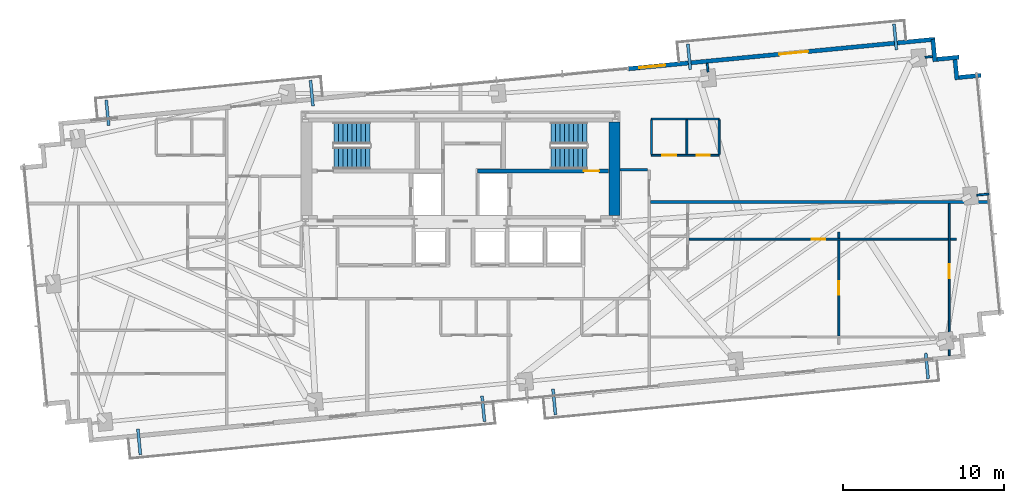
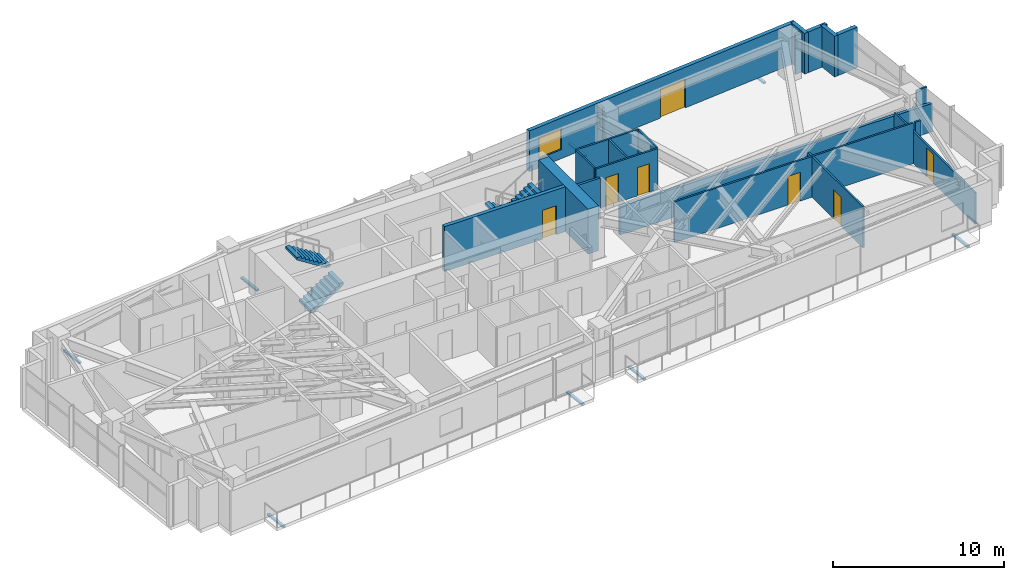
# One storey, part 24 of 27: 22 walls, 8 discrete accessories, 7 doors, 4 stair flights, 1 window, 8 openings, 2 elements without a shape of their own.
"""IFC4 building model written with IfcOpenShell, lengths in metres."""

from ifc_helpers import new_model, si_unit, direction, frame, frame_2d, origin, origin_2d, place, context, subcontext, project, spatial, polyline, rectangle, outline, extrude, source, transform, mapped, material, layer, layer_set, type_object, type_shapes, element, fill, aggregate, save


model = new_model("IFC4")

# Units and contexts
model_context = context("Model", 3, precision=1e-05, world=origin(), true_north=direction((0.0, 1.0)))
body_context = subcontext(model_context, "Body", "Model", "MODEL_VIEW")
ifc_project = project(units=[si_unit("LENGTHUNIT", "METRE"), si_unit("AREAUNIT", "SQUARE_METRE"), si_unit("VOLUMEUNIT", "CUBIC_METRE"), si_unit("PLANEANGLEUNIT", "RADIAN"), si_unit("MASSUNIT", "GRAM", prefix="KILO")], contexts=[model_context])

# Site, building, storey
site_placement = place(None, origin())
site = spatial("IfcSite", under=ifc_project, at=site_placement, CompositionType="ELEMENT")
building_placement = place(site_placement, origin())
building = spatial("IfcBuilding", under=site, at=building_placement, Name="Astriad Promenade Condominiums", CompositionType="ELEMENT")
storey_placement = place(building_placement, frame((0.0, 0.0, 116.199951171875)))
storey = spatial("IfcBuildingStorey", under=building, at=storey_placement, Name="L33", CompositionType="ELEMENT", Elevation=116.199951171875)

# Wall
ifc_material_1 = material(Name="Concrete C60/75", Category="concrete")
ifc_layer_1 = layer(ifc_material_1, 0.699951171875)
ifc_layer_set_1 = layer_set([ifc_layer_1], Name="Concrete C60/75")
wall_type_1 = type_object("IfcWallType", Name="CW-SHEAR-700", PredefinedType="SHEAR", material=ifc_layer_set_1)
wall_1_placement = place(storey_placement, frame((45.550048828125, 17.802001953125, 0.0), z_axis=(0.0, 0.0, 1.0), x_axis=(0.0, 1.0, 0.0)))
element("IfcWall", 1, at=wall_1_placement, inside=storey, type_object=wall_type_1, Name="CW-CORE-E-L33", PredefinedType="SHEAR", context=body_context, shape_type="SweptSolid", body=[
    extrude(rectangle(XDim=5.7958984375, YDim=0.699951171875, at=frame_2d((2.89794921875, 0.0))), origin(), (0.0, 0.0, 1.0), 3.199951171875),
])

# Wall, opening, door
ifc_material_2 = material(Name="Concrete C50/60", Category="concrete")
ifc_layer_2 = layer(ifc_material_2, 0.25)
ifc_layer_set_2 = layer_set([ifc_layer_2], Name="Concrete C50/60")
wall_type_2 = type_object("IfcWallType", Name="WALL-CORE-INT-250", PredefinedType="SOLIDWALL", material=ifc_layer_set_2)
wall_2_placement = place(storey_placement, frame((37.050048828125, 20.574951171875, 0.0), z_axis=(0.0, 0.0, 1.0), x_axis=(1.0, 0.0, 0.0)))
wall_2 = element("IfcWall", 2, at=wall_2_placement, inside=storey, type_object=wall_type_2, Name="CW-INT-H2-L33", PredefinedType="SOLIDWALL", context=body_context, shape_type="SweptSolid", body=[
    extrude(rectangle(XDim=8.14794921875, YDim=0.25, at=frame_2d((4.073974609375, 0.0))), origin(), (0.0, 0.0, 1.0), 3.199951171875),
])
opening_1_placement = place(wall_2_placement, frame((6.60009765625, 0.0, 0.0)))
opening_1 = element("IfcOpeningElement", 3, at=opening_1_placement, cuts=wall_2, Name="Opening FD90-ST-095", PredefinedType="OPENING", context=body_context, shape_type="SweptSolid", body=[
    extrude(rectangle(XDim=0.949951171875, YDim=2.06005859375, at=frame_2d((0.47509765625, 1.030029296875))), frame((0.0, 0.135009765625, 0.0), z_axis=(0.0, -1.0, 0.0), x_axis=(1.0, 0.0, 0.0)), (0.0, 0.0, 1.0), 0.27001953125),
])
ifc_material_3 = material(Name="Fire-Rated Hollow Metal Stair Door")
door_type_1 = type_object("IfcDoorType", Name="FD90-ST-095", OperationType="NOTDEFINED", PredefinedType="DOOR", material=ifc_material_3)
shared_shape_1 = source(origin(), body_context, "Body", "SweptSolid", [
    extrude(rectangle(XDim=0.949951171875, YDim=2.06005859375, at=frame_2d((0.47509765625, 1.030029296875))), frame((0.0, 0.02490234375, 0.0), z_axis=(0.0, -1.0, 0.0), x_axis=(1.0, 0.0, 0.0)), (0.0, 0.0, 1.0), 0.050048828125),
])
type_shapes(door_type_1, [shared_shape_1])
door_1_placement = place(opening_1_placement, origin())
door_1 = element("IfcDoor", 4, at=door_1_placement, inside=storey, type_object=door_type_1, Name="D-ST2-L33", OperationType="SINGLE_SWING_RIGHT", OverallHeight=2.06005859375, OverallWidth=0.949951171875, PredefinedType="DOOR", context=body_context, shape_type="MappedRepresentation", body=[
    mapped(shared_shape_1, transform((0.0, 0.0, 0.0), scale=1.0)),
])
fill(opening_1, door_1)

# Walls
ifc_material_4 = material(Name="Fire-Rated Gypsum Partition")
ifc_layer_3 = layer(ifc_material_4, 0.159912109375)
ifc_layer_set_3 = layer_set([ifc_layer_3], Name="Fire-Rated Gypsum Partition")
wall_type_3 = type_object("IfcWallType", Name="WALL-CORR-160", PredefinedType="PARTITIONING", material=ifc_layer_set_3)
wall_3_placement = place(storey_placement, frame((45.902099609375, 20.64990234375, 0.0), z_axis=(0.0, 0.0, 1.0), x_axis=(1.0, 0.0, 0.0)))
element("IfcWall", 5, at=wall_3_placement, inside=storey, type_object=wall_type_3, Name="PT-Z3E-N-L33", PredefinedType="PARTITIONING", context=body_context, shape_type="SweptSolid", body=[
    extrude(rectangle(XDim=1.7158203125, YDim=0.159912109375, at=frame_2d((0.85791015625, 0.0))), origin(), (0.0, 0.0, 1.0), 2.900146484375),
])
ifc_material_5 = material(Name="Acoustic Double-Stud Gypsum Partition")
ifc_layer_4 = layer(ifc_material_5, 0.199951171875)
ifc_layer_set_4 = layer_set([ifc_layer_4], Name="Acoustic Double-Stud Gypsum Partition")
wall_type_4 = type_object("IfcWallType", Name="WALL-DEMISING-200", PredefinedType="PARTITIONING", material=ifc_layer_set_4)
wall_4_placement = place(storey_placement, frame((47.781982421875, 18.64990234375, 0.0), z_axis=(0.0, 0.0, 1.0), x_axis=(1.0, 0.0, 0.0)))
element("IfcWall", 6, at=wall_4_placement, inside=storey, type_object=wall_type_4, Name="PT-DEM-EE-L33", PredefinedType="PARTITIONING", context=body_context, shape_type="SweptSolid", body=[
    extrude(rectangle(XDim=21.04931640625, YDim=0.199951171875, at=frame_2d((10.524658203125, 0.0))), origin(), (0.0, 0.0, 1.0), 2.02294921875),
])

# Wall, openings, door, window
ifc_material_6 = material(Name="Precast concrete C50/60", Category="concrete")
ifc_layer_5 = layer(ifc_material_6, 0.260009765625)
ifc_layer_set_5 = layer_set([ifc_layer_5], Name="Precast concrete C50/60")
wall_type_5 = type_object("IfcWallType", Name="WALL-EXT-TWR-260", PredefinedType="STANDARD", material=ifc_layer_set_5)
wall_5_placement = place(storey_placement, frame((46.40625, 26.90966796875, 0.0), z_axis=(0.0, 0.0, 1.0), x_axis=(0.995396638587, 0.095841180552, 0.0)))
wall_5 = element("IfcWall", 7, at=wall_5_placement, inside=storey, type_object=wall_type_5, Name="W-EXT-L33-N2", PredefinedType="STANDARD", context=body_context, shape_type="SweptSolid", body=[
    extrude(rectangle(XDim=19.110107421875, YDim=0.260009765625, at=frame_2d((9.55517578125, 0.0))), origin(), (0.0, 0.0, 1.0), 2.900146484375),
])
opening_2_placement = place(wall_5_placement, frame((9.39990234375, 0.0, 0.0)))
opening_2 = element("IfcOpeningElement", 8, at=opening_2_placement, cuts=wall_5, Name="Opening BD-1822-SLD", PredefinedType="OPENING", context=body_context, shape_type="SweptSolid", body=[
    extrude(rectangle(XDim=1.800048828125, YDim=2.06005859375, at=frame_2d((0.89990234375, 1.030029296875))), frame((0.0, 0.139892578125, 0.0), z_axis=(0.0, -1.0, 0.0), x_axis=(1.0, 0.0, 0.0)), (0.0, 0.0, 1.0), 0.280029296875),
])
opening_3_placement = place(wall_5_placement, frame((0.699951171875, 0.0, 0.64990234375)))
opening_3 = element("IfcOpeningElement", 9, at=opening_3_placement, cuts=wall_5, Name="Opening WIN-TWR-1620", PredefinedType="OPENING", context=body_context, shape_type="SweptSolid", body=[
    extrude(rectangle(XDim=1.60009765625, YDim=1.5, at=frame_2d((0.800048828125, 0.75))), frame((0.0, 0.139892578125, 0.0), z_axis=(0.0, -1.0, 0.0), x_axis=(1.0, 0.0, 0.0)), (0.0, 0.0, 1.0), 0.280029296875),
])
ifc_material_7 = material(Name="Thermally Broken Aluminium Sliding Balcony Door", Category="aluminium")
door_type_2 = type_object("IfcDoorType", Name="BD-1822-SLD", OperationType="NOTDEFINED", PredefinedType="DOOR", material=ifc_material_7)
shared_shape_2 = source(origin(), body_context, "Body", "SweptSolid", [
    extrude(rectangle(XDim=1.800048828125, YDim=2.06005859375, at=frame_2d((0.89990234375, 1.030029296875))), frame((0.0, 0.02490234375, 0.0), z_axis=(0.0, -1.0, 0.0), x_axis=(1.0, 0.0, 0.0)), (0.0, 0.0, 1.0), 0.050048828125),
])
type_shapes(door_type_2, [shared_shape_2])
door_2_placement = place(opening_2_placement, origin())
door_2 = element("IfcDoor", 10, at=door_2_placement, inside=storey, type_object=door_type_2, Name="BD-L33-NE", OperationType="SLIDING_TO_RIGHT", OverallHeight=2.06005859375, OverallWidth=1.800048828125, PredefinedType="DOOR", context=body_context, shape_type="MappedRepresentation", body=[
    mapped(shared_shape_2, transform((0.0, 0.0, 0.0), scale=1.0)),
])
fill(opening_2, door_2)
ifc_material_8 = material(Name="Dark Tinted Triple-Glazed Aluminium Window", Category="aluminium")
window_type = type_object("IfcWindowType", Name="WIN-TWR-1620", PartitioningType="SINGLE_PANEL", PredefinedType="WINDOW", material=ifc_material_8)
shared_shape_3 = source(origin(), body_context, "Body", "SweptSolid", [
    extrude(rectangle(XDim=1.60009765625, YDim=1.5, at=frame_2d((0.800048828125, 0.75))), frame((0.0, 0.030029296875, 0.0), z_axis=(0.0, -1.0, 0.0), x_axis=(1.0, 0.0, 0.0)), (0.0, 0.0, 1.0), 0.06005859375),
])
type_shapes(window_type, [shared_shape_3])
window_placement = place(opening_3_placement, origin())
window = element("IfcWindow", 11, at=window_placement, inside=storey, type_object=window_type, Name="WIN-L33-NE", OverallHeight=1.5, OverallWidth=1.60009765625, PartitioningType="SINGLE_PANEL", PredefinedType="WINDOW", context=body_context, shape_type="MappedRepresentation", body=[
    mapped(shared_shape_3, transform((0.0, 0.0, 0.0), scale=1.0)),
])
fill(opening_3, window)

# Walls
for number, where, z_axis, x_axis, name in (
    (12, (65.297607421875, 28.74365234375, 0.0), (0.0, 0.0, 1.0), (0.095725744959, -0.99540774648, 0.0), "W-SER-L33-09"),
    (13, (65.533203125, 27.49560546875, 0.0), (0.0, 0.0, 1.0), (0.99540774648, 0.095725744959, 0.0), "W-SER-L33-10"),
):
    element("IfcWall", number, at=place(storey_placement, frame(where, z_axis=z_axis, x_axis=x_axis)), inside=storey, type_object=wall_type_5, Name=name, PredefinedType="STANDARD", context=body_context, shape_type="SweptSolid", body=[
        extrude(rectangle(XDim=1.39501953125, YDim=0.260009765625, at=frame_2d((0.697509765625, 0.0))), origin(), (0.0, 0.0, 1.0), 2.900146484375),
    ])
wall_6_placement = place(storey_placement, frame((66.66162109375, 27.619140625, 0.0), z_axis=(0.0, 0.0, 1.0), x_axis=(0.095742423056, -0.99540614245, 0.0)))
element("IfcWall", 14, at=wall_6_placement, inside=storey, type_object=wall_type_5, Name="W-SER-L33-11", PredefinedType="STANDARD", context=body_context, shape_type="SweptSolid", body=[
    extrude(rectangle(XDim=1.394775390625, YDim=0.260009765625, at=frame_2d((0.697265625, 0.0))), origin(), (0.0, 0.0, 1.0), 2.900146484375),
])
wall_7_placement = place(storey_placement, frame((66.897216796875, 26.37109375, 0.0), z_axis=(0.0, 0.0, 1.0), x_axis=(0.995391056452, 0.09589913835, 0.0)))
element("IfcWall", 15, at=wall_7_placement, inside=storey, type_object=wall_type_5, Name="W-SER-L33-12", PredefinedType="STANDARD", context=body_context, shape_type="SweptSolid", body=[
    extrude(rectangle(XDim=1.39501953125, YDim=0.260009765625, at=frame_2d((0.697509765625, 0.0))), origin(), (0.0, 0.0, 1.0), 2.900146484375),
])

# Wall, opening, door
ifc_material_9 = material(Name="Acoustic Metal-Stud Gypsum Partition")
ifc_layer_6 = layer(ifc_material_9, 0.1201171875)
ifc_layer_set_6 = layer_set([ifc_layer_6], Name="Acoustic Metal-Stud Gypsum Partition")
wall_type_6 = type_object("IfcWallType", Name="WALL-PART-120", PredefinedType="PARTITIONING", material=ifc_layer_set_6)
wall_8_placement = place(storey_placement, frame((66.31591796875, 9.1279296875, 0.0), z_axis=(0.0, 0.0, 1.0), x_axis=(0.0, 1.0, 0.0)))
wall_8 = element("IfcWall", 16, at=wall_8_placement, inside=storey, type_object=wall_type_6, Name="PT-L33-E1-B1", PredefinedType="PARTITIONING", context=body_context, shape_type="SweptSolid", body=[
    extrude(rectangle(XDim=9.420166015625, YDim=0.1201171875, at=frame_2d((4.7099609375, 0.0))), origin(), (0.0, 0.0, 1.0), 2.27001953125),
])
opening_4_placement = place(wall_8_placement, frame((4.798095703125, 0.0, 0.0)))
opening_4 = element("IfcOpeningElement", 17, at=opening_4_placement, cuts=wall_8, Name="Opening D-INT-085", PredefinedType="OPENING", context=body_context, shape_type="SweptSolid", body=[
    extrude(rectangle(XDim=0.85009765625, YDim=2.050048828125, at=frame_2d((0.425048828125, 1.02490234375))), frame((0.0, 0.070068359375, 0.0), z_axis=(0.0, -1.0, 0.0), x_axis=(1.0, 0.0, 0.0)), (0.0, 0.0, 1.0), 0.14013671875),
])
ifc_material_10 = material(Name="Painted Solid-Core Timber Room Door", Category="wood")
door_type_3 = type_object("IfcDoorType", Name="D-INT-085", OperationType="NOTDEFINED", PredefinedType="DOOR", material=ifc_material_10)
shared_shape_4 = source(origin(), body_context, "Body", "SweptSolid", [
    extrude(rectangle(XDim=0.85009765625, YDim=2.050048828125, at=frame_2d((0.425048828125, 1.02490234375))), frame((0.0, 0.02490234375, 0.0), z_axis=(0.0, -1.0, 0.0), x_axis=(1.0, 0.0, 0.0)), (0.0, 0.0, 1.0), 0.050048828125),
])
type_shapes(door_type_3, [shared_shape_4])
door_3_placement = place(opening_4_placement, origin())
door_3 = element("IfcDoor", 18, at=door_3_placement, inside=storey, type_object=door_type_3, Name="D-BD1-L33-E1", OperationType="SINGLE_SWING_LEFT", OverallHeight=2.050048828125, OverallWidth=0.85009765625, PredefinedType="DOOR", context=body_context, shape_type="MappedRepresentation", body=[
    mapped(shared_shape_4, transform((0.0, 0.0, 0.0), scale=1.0)),
])
fill(opening_4, door_3)

wall_9_placement = place(storey_placement, frame((50.162109375, 16.35009765625, 0.0), z_axis=(0.0, 0.0, 1.0), x_axis=(1.0, 0.0, 0.0)))
wall_9 = element("IfcWall", 19, at=wall_9_placement, inside=storey, type_object=wall_type_6, Name="PT-L33-E1-WDN2", PredefinedType="PARTITIONING", context=body_context, shape_type="SweptSolid", body=[
    extrude(rectangle(XDim=16.091796875, YDim=0.1201171875, at=frame_2d((8.0458984375, 0.0))), origin(), (0.0, 0.0, 1.0), 2.900146484375),
])
opening_5_placement = place(wall_9_placement, frame((7.62109375, 0.0, 0.0)))
opening_5 = element("IfcOpeningElement", 20, at=opening_5_placement, cuts=wall_9, Name="Opening D-INT-085", PredefinedType="OPENING", context=body_context, shape_type="SweptSolid", body=[
    extrude(rectangle(XDim=0.85009765625, YDim=2.050048828125, at=frame_2d((0.425048828125, 1.02490234375))), frame((0.0, 0.070068359375, 0.0), z_axis=(0.0, -1.0, 0.0), x_axis=(1.0, 0.0, 0.0)), (0.0, 0.0, 1.0), 0.14013671875),
])
door_4_placement = place(opening_5_placement, origin())
door_4 = element("IfcDoor", 21, at=door_4_placement, inside=storey, type_object=door_type_3, Name="D-WDN2-L33-E1", OperationType="SINGLE_SWING_LEFT", OverallHeight=2.050048828125, OverallWidth=0.85009765625, PredefinedType="DOOR", context=body_context, shape_type="MappedRepresentation", body=[
    mapped(shared_shape_4, transform((0.0, 0.0, 0.0), scale=1.0)),
])
fill(opening_5, door_4)

# Wall
wall_10_placement = place(storey_placement, frame((66.3779296875, 16.35009765625, 0.0), z_axis=(0.0, 0.0, 1.0), x_axis=(1.0, 0.0, 0.0)))
element("IfcWall", 22, at=wall_10_placement, inside=storey, type_object=wall_type_6, Name="PT-L33-E1-WDN2-S2", PredefinedType="PARTITIONING", context=body_context, shape_type="SweptSolid", body=[
    extrude(rectangle(XDim=0.378173828125, YDim=0.1201171875, at=frame_2d((0.18896484375, 0.0))), origin(), (0.0, 0.0, 1.0), 2.900146484375),
])

# Wall, opening, door
wall_11_placement = place(storey_placement, frame((59.469970703125, 10.343017578125, 0.0), z_axis=(0.0, 0.0, 1.0), x_axis=(0.0, 1.0, 0.0)))
wall_11 = element("IfcWall", 23, at=wall_11_placement, inside=storey, type_object=wall_type_6, Name="PT-L33-E1-WDV3-S2", PredefinedType="PARTITIONING", context=body_context, shape_type="SweptSolid", body=[
    extrude(rectangle(XDim=5.945068359375, YDim=0.1201171875, at=frame_2d((2.97265625, 0.0))), origin(), (0.0, 0.0, 1.0), 2.900146484375),
])
opening_6_placement = place(wall_11_placement, frame((2.548095703125, 0.0, 0.0)))
opening_6 = element("IfcOpeningElement", 24, at=opening_6_placement, cuts=wall_11, Name="Opening D-INT-085", PredefinedType="OPENING", context=body_context, shape_type="SweptSolid", body=[
    extrude(rectangle(XDim=0.85009765625, YDim=2.050048828125, at=frame_2d((0.425048828125, 1.02490234375))), frame((0.0, 0.070068359375, 0.0), z_axis=(0.0, -1.0, 0.0), x_axis=(1.0, 0.0, 0.0)), (0.0, 0.0, 1.0), 0.14013671875),
])
door_5_placement = place(opening_6_placement, origin())
door_5 = element("IfcDoor", 25, at=door_5_placement, inside=storey, type_object=door_type_3, Name="D-WDV3-L33-E1", OperationType="SINGLE_SWING_RIGHT", OverallHeight=2.050048828125, OverallWidth=0.85009765625, PredefinedType="DOOR", context=body_context, shape_type="MappedRepresentation", body=[
    mapped(shared_shape_4, transform((0.0, 0.0, 0.0), scale=1.0)),
])
fill(opening_6, door_5)

# Wall
wall_12_placement = place(storey_placement, frame((59.469970703125, 16.412109375, 0.0), z_axis=(0.0, 0.0, 1.0), x_axis=(0.0, 1.0, 0.0)))
element("IfcWall", 26, at=wall_12_placement, inside=storey, type_object=wall_type_6, Name="PT-L33-E1-WDV3-S3", PredefinedType="PARTITIONING", context=body_context, shape_type="SweptSolid", body=[
    extrude(rectangle(XDim=0.3779296875, YDim=0.1201171875, at=frame_2d((0.18896484375, 0.0))), origin(), (0.0, 0.0, 1.0), 2.900146484375),
])

# Wall, openings, doors
wall_13_placement = place(storey_placement, frame((47.85009765625, 21.550048828125, 0.0), z_axis=(0.0, 0.0, 1.0), x_axis=(1.0, 0.0, 0.0)))
wall_13 = element("IfcWall", 27, at=wall_13_placement, inside=storey, type_object=wall_type_6, Name="PT-L33-E2-PH", PredefinedType="PARTITIONING", context=body_context, shape_type="SweptSolid", body=[
    extrude(rectangle(XDim=4.199951171875, YDim=0.1201171875, at=frame_2d((2.10009765625, 0.0))), origin(), (0.0, 0.0, 1.0), 2.900146484375),
])
opening_7_placement = place(wall_13_placement, frame((0.675048828125, 0.0, 0.0)))
opening_7 = element("IfcOpeningElement", 28, at=opening_7_placement, cuts=wall_13, Name="Opening D-INT-085", PredefinedType="OPENING", context=body_context, shape_type="SweptSolid", body=[
    extrude(rectangle(XDim=0.85009765625, YDim=2.050048828125, at=frame_2d((0.425048828125, 1.02490234375))), frame((0.0, 0.070068359375, 0.0), z_axis=(0.0, -1.0, 0.0), x_axis=(1.0, 0.0, 0.0)), (0.0, 0.0, 1.0), 0.14013671875),
])
opening_8_placement = place(wall_13_placement, frame((2.800048828125, 0.0, 0.0)))
opening_8 = element("IfcOpeningElement", 29, at=opening_8_placement, cuts=wall_13, Name="Opening D-WET-080", PredefinedType="OPENING", context=body_context, shape_type="SweptSolid", body=[
    extrude(rectangle(XDim=0.800048828125, YDim=2.02001953125, at=frame_2d((0.39990234375, 1.010009765625))), frame((0.0, 0.070068359375, 0.0), z_axis=(0.0, -1.0, 0.0), x_axis=(1.0, 0.0, 0.0)), (0.0, 0.0, 1.0), 0.14013671875),
])
ifc_material_11 = material(Name="Moisture-Resistant Timber Bathroom Door", Category="wood")
door_type_4 = type_object("IfcDoorType", Name="D-WET-080", OperationType="NOTDEFINED", PredefinedType="DOOR", material=ifc_material_11)
shared_shape_5 = source(origin(), body_context, "Body", "SweptSolid", [
    extrude(rectangle(XDim=0.800048828125, YDim=2.02001953125, at=frame_2d((0.39990234375, 1.010009765625))), frame((0.0, 0.02490234375, 0.0), z_axis=(0.0, -1.0, 0.0), x_axis=(1.0, 0.0, 0.0)), (0.0, 0.0, 1.0), 0.050048828125),
])
type_shapes(door_type_4, [shared_shape_5])
door_6_placement = place(opening_8_placement, origin())
door_6 = element("IfcDoor", 30, at=door_6_placement, inside=storey, type_object=door_type_4, Name="D-BTH-L33-E2", OperationType="SINGLE_SWING_LEFT", OverallHeight=2.02001953125, OverallWidth=0.800048828125, PredefinedType="DOOR", context=body_context, shape_type="MappedRepresentation", body=[
    mapped(shared_shape_5, transform((0.0, 0.0, 0.0), scale=1.0)),
])
fill(opening_8, door_6)
door_7_placement = place(opening_7_placement, origin())
door_7 = element("IfcDoor", 31, at=door_7_placement, inside=storey, type_object=door_type_3, Name="D-KIT-L33-E2", OperationType="SINGLE_SWING_RIGHT", OverallHeight=2.050048828125, OverallWidth=0.85009765625, PredefinedType="DOOR", context=body_context, shape_type="MappedRepresentation", body=[
    mapped(shared_shape_4, transform((0.0, 0.0, 0.0), scale=1.0)),
])
fill(opening_7, door_7)

# Walls
wall_14_placement = place(storey_placement, frame((47.85009765625, 23.800048828125, 0.0), z_axis=(0.0, 0.0, 1.0), x_axis=(1.0, 0.0, 0.0)))
element("IfcWall", 32, at=wall_14_placement, inside=storey, type_object=wall_type_6, Name="PT-L33-E2-PHN", PredefinedType="PARTITIONING", context=body_context, shape_type="SweptSolid", body=[
    extrude(rectangle(XDim=4.199951171875, YDim=0.1201171875, at=frame_2d((2.10009765625, 0.0))), origin(), (0.0, 0.0, 1.0), 2.900146484375),
])
for number, where, z_axis, x_axis, name in (
    (33, (47.85009765625, 21.612060546875, 0.0), (0.0, 0.0, 1.0), (0.0, 1.0, 0.0), "PT-L33-E2-PK1"),
    (34, (50.050048828125, 21.612060546875, 0.0), (0.0, 0.0, 1.0), (0.0, 1.0, 0.0), "PT-L33-E2-PK2"),
    (35, (52.050048828125, 21.612060546875, 0.0), (0.0, 0.0, 1.0), (0.0, 1.0, 0.0), "PT-L33-E2-PK3"),
):
    element("IfcWall", number, at=place(storey_placement, frame(where, z_axis=z_axis, x_axis=x_axis)), inside=storey, type_object=wall_type_6, Name=name, PredefinedType="PARTITIONING", context=body_context, shape_type="SweptSolid", body=[
        extrude(rectangle(XDim=2.1259765625, YDim=0.1201171875, at=frame_2d((1.06298828125, 0.0))), origin(), (0.0, 0.0, 1.0), 2.900146484375),
    ])
wall_15_placement = place(storey_placement, frame((51.35791015625, 26.71337890625, 0.0), z_axis=(0.0, 0.0, 1.0), x_axis=(-0.095772948675, 0.995403205893, 0.0)))
element("IfcWall", 36, at=wall_15_placement, inside=storey, type_object=wall_type_6, Name="PT-PIL-L33-PC09-16", PredefinedType="PARTITIONING", context=body_context, shape_type="SweptSolid", body=[
    extrude(rectangle(XDim=0.537841796875, YDim=0.1201171875, at=frame_2d((0.26904296875, 0.0))), origin(), (0.0, 0.0, 1.0), 2.900146484375),
])
wall_16_placement = place(storey_placement, frame((64.812255859375, 27.626953125, 0.0), z_axis=(0.0, 0.0, 1.0), x_axis=(0.995389482415, 0.095915474751, 0.0)))
element("IfcWall", 37, at=wall_16_placement, inside=storey, type_object=wall_type_6, Name="PT-PIL-L33-PC10-17", PredefinedType="PARTITIONING", context=body_context, shape_type="SweptSolid", body=[
    extrude(rectangle(XDim=0.458251953125, YDim=0.1201171875, at=frame_2d((0.22900390625, 0.0))), origin(), (0.0, 0.0, 1.0), 2.900146484375),
])
wall_17_placement = place(storey_placement, frame((68.026611328125, 19.07568359375, 0.0), z_axis=(0.0, 0.0, 1.0), x_axis=(0.995377786728, 0.096036772582, 0.0)))
element("IfcWall", 38, at=wall_17_placement, inside=storey, type_object=wall_type_6, Name="PT-PIL-L33-PC12-19", PredefinedType="PARTITIONING", context=body_context, shape_type="SweptSolid", body=[
    extrude(rectangle(XDim=0.760009765625, YDim=0.1201171875, at=frame_2d((0.3798828125, 0.0))), origin(), (0.0, 0.0, 1.0), 2.900146484375),
])

# Stair, stair flights
stair_type = type_object("IfcStairType", Name="STR-CORE-1350", PredefinedType="HALF_TURN_STAIR", material=ifc_material_2)
stair_1_placement = place(storey_placement, origin())
stair_1 = element("IfcStair", 39, at=stair_1_placement, inside=storey, type_object=stair_type, Name="L33 Enclosed Core Exit Stair ST-1", PredefinedType="HALF_TURN_STAIR")
stair_flight_type = type_object("IfcStairFlightType", Name="SFL-CORE-1350", PredefinedType="STRAIGHT", material=ifc_material_2)
shared_shape_6 = source(origin(), body_context, "Body", "SweptSolid", [
    extrude(outline(polyline([(0.0, 0.0), (0.0, 0.177734375), (0.280029296875, 0.177734375), (0.280029296875, 0.35546875), (0.56005859375, 0.35546875), (0.56005859375, 0.533447265625), (0.840087890625, 0.533447265625), (0.840087890625, 0.711181640625), (1.1201171875, 0.711181640625), (1.1201171875, 0.888916015625), (1.39990234375, 0.888916015625), (1.39990234375, 1.066650390625), (1.679931640625, 1.066650390625), (1.679931640625, 1.244384765625), (1.9599609375, 1.244384765625), (1.9599609375, 1.422119140625), (2.239990234375, 1.422119140625), (2.239990234375, 1.60009765625), (2.239990234375, 1.24462890625), (0.27978515625, 0.0), (0.0, 0.0)])), frame((0.0, 0.675048828125, 0.0), z_axis=(0.0, -1.0, 0.0), x_axis=(1.0, 0.0, 0.0)), (0.0, 0.0, 1.0), 1.35009765625),
])
type_shapes(stair_flight_type, [shared_shape_6])
stair_flight_1_placement = place(storey_placement, frame((28.14990234375, 21.375, 0.0), z_axis=(0.0, 0.0, 1.0), x_axis=(1.0, 0.0, 0.0)))
stair_flight_1 = element("IfcStairFlight", 40, at=stair_flight_1_placement, type_object=stair_flight_type, Name="ST-1 flight 1", NumberOfRisers=9, NumberOfTreads=8, PredefinedType="STRAIGHT", RiserHeight=0.177777778, TreadLength=0.28, context=body_context, shape_type="MappedRepresentation", body=[
    mapped(shared_shape_6, transform((0.0, 0.0, 0.0), scale=1.0)),
])
stair_flight_2_placement = place(storey_placement, frame((30.389892578125, 22.925048828125, 1.60009765625), z_axis=(0.0, 0.0, 1.0), x_axis=(-1.0, 0.0, 0.0)))
stair_flight_2 = element("IfcStairFlight", 41, at=stair_flight_2_placement, type_object=stair_flight_type, Name="ST-1 flight 2", NumberOfRisers=9, NumberOfTreads=8, PredefinedType="STRAIGHT", RiserHeight=0.177777778, TreadLength=0.28, context=body_context, shape_type="MappedRepresentation", body=[
    mapped(shared_shape_6, transform((0.0, 0.0, 0.0), scale=1.0)),
])
aggregate(stair_1, [stair_flight_1, stair_flight_2])

stair_2_placement = place(storey_placement, origin())
stair_2 = element("IfcStair", 42, at=stair_2_placement, inside=storey, type_object=stair_type, Name="L33 Enclosed Core Exit Stair ST-2", PredefinedType="HALF_TURN_STAIR")
stair_flight_3_placement = place(storey_placement, frame((43.85009765625, 22.925048828125, 0.0), z_axis=(0.0, 0.0, 1.0), x_axis=(-1.0, 0.0, 0.0)))
stair_flight_3 = element("IfcStairFlight", 43, at=stair_flight_3_placement, type_object=stair_flight_type, Name="ST-2 flight 1", NumberOfRisers=9, NumberOfTreads=8, PredefinedType="STRAIGHT", RiserHeight=0.177777778, TreadLength=0.28, context=body_context, shape_type="MappedRepresentation", body=[
    mapped(shared_shape_6, transform((0.0, 0.0, 0.0), scale=1.0)),
])
stair_flight_4_placement = place(storey_placement, frame((41.610107421875, 21.375, 1.60009765625), z_axis=(0.0, 0.0, 1.0), x_axis=(1.0, 0.0, 0.0)))
stair_flight_4 = element("IfcStairFlight", 44, at=stair_flight_4_placement, type_object=stair_flight_type, Name="ST-2 flight 2", NumberOfRisers=9, NumberOfTreads=8, PredefinedType="STRAIGHT", RiserHeight=0.177777778, TreadLength=0.28, context=body_context, shape_type="MappedRepresentation", body=[
    mapped(shared_shape_6, transform((0.0, 0.0, 0.0), scale=1.0)),
])
aggregate(stair_2, [stair_flight_3, stair_flight_4])

# Discrete accessories
ifc_material_12 = material(Name="Steel ASTM A572 Grade 50", Category="steel")
discrete_accessory_type = type_object("IfcDiscreteAccessoryType", Name="STEEL BALCONY OUTRIGGER BRACKET", PredefinedType="BRACKET", material=ifc_material_12)
shared_shape_7 = source(origin(), body_context, "Body", "SweptSolid", [
    extrude(rectangle(XDim=1.60009765625, YDim=0.179931640625, at=origin_2d()), origin(), (0.0, 0.0, 1.0), 0.1220703125),
])
type_shapes(discrete_accessory_type, [shared_shape_7])
for number, where, z_axis, x_axis, name in (
    (45, (16.077880859375, 3.776123046875, -0.340087890625), (0.0, 0.0, 1.0), (0.09584575252, -0.995396198367, 0.0), "Balcony Outrigger Bracket BAL-L33-SW-A"),
    (46, (37.417236328125, 5.830810546875, -0.340087890625), (0.0, 0.0, 1.0), (0.09584575252, -0.995396198367, 0.0), "Balcony Outrigger Bracket BAL-L33-SW-B"),
    (47, (41.81884765625, 6.2548828125, -0.340087890625), (0.0, 0.0, 1.0), (0.09584575252, -0.995396198367, 0.0), "Balcony Outrigger Bracket BAL-L33-SE-A"),
    (48, (64.931884765625, 8.480224609375, -0.340087890625), (0.0, 0.0, 1.0), (0.09584575252, -0.995396198367, 0.0), "Balcony Outrigger Bracket BAL-L33-SE-B"),
    (49, (14.113037109375, 24.181884765625, -0.340087890625), (0.0, 0.0, 1.0), (-0.09584575252, 0.995396198367, 0.0), "Balcony Outrigger Bracket BAL-L33-NW-A"),
    (50, (26.780517578125, 25.401611328125, -0.340087890625), (0.0, 0.0, 1.0), (-0.09584575252, 0.995396198367, 0.0), "Balcony Outrigger Bracket BAL-L33-NW-B"),
    (51, (50.18212890625, 27.65478515625, -0.340087890625), (0.0, 0.0, 1.0), (-0.09584575252, 0.995396198367, 0.0), "Balcony Outrigger Bracket BAL-L33-NE-A"),
    (52, (62.967041015625, 28.885986328125, -0.340087890625), (0.0, 0.0, 1.0), (-0.09584575252, 0.995396198367, 0.0), "Balcony Outrigger Bracket BAL-L33-NE-B"),
):
    element("IfcDiscreteAccessory", number, at=place(storey_placement, frame(where, z_axis=z_axis, x_axis=x_axis)), inside=storey, type_object=discrete_accessory_type, Name=name, PredefinedType="BRACKET", context=body_context, shape_type="MappedRepresentation", body=[
        mapped(shared_shape_7, transform((0.0, 0.0, 0.0), scale=1.0)),
    ])

save(model, "model.ifc")
